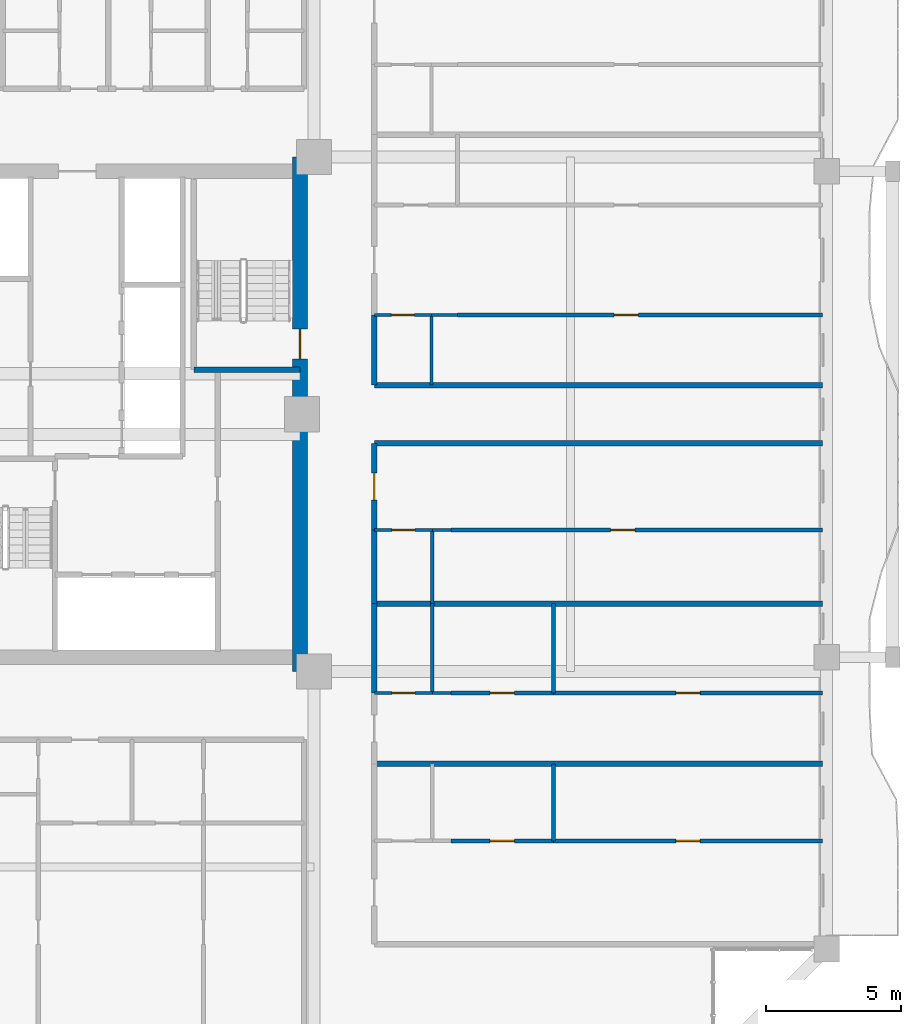
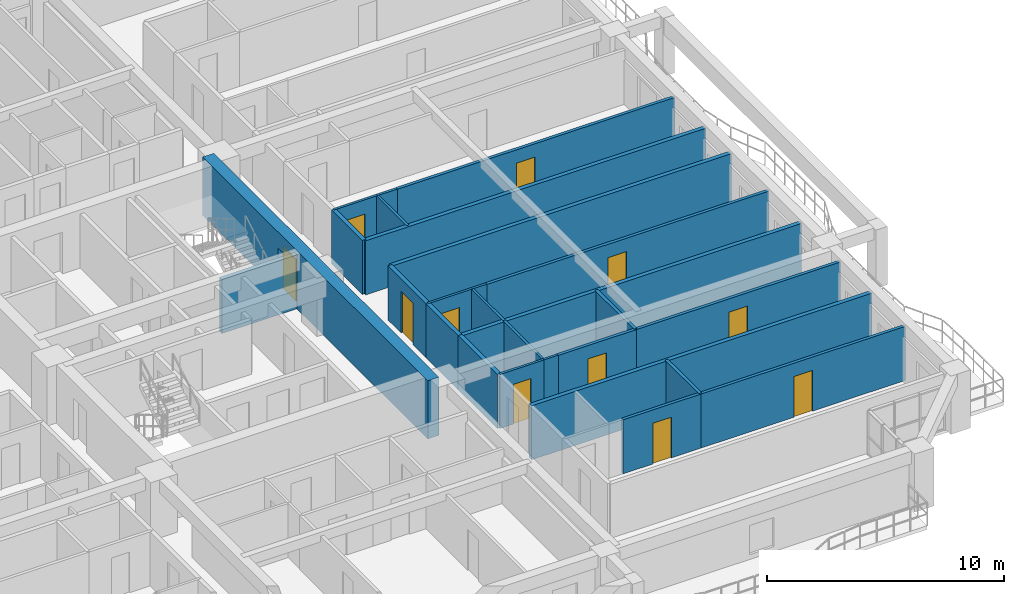
# One storey, part 17 of 26: 27 walls, 11 doors, 11 openings.
"""IFC4 building model written with IfcOpenShell, lengths in metres."""

from ifc_helpers import new_model, si_unit, direction, frame, frame_2d, origin, place, context, subcontext, project, spatial, rectangle, extrude, source, transform, mapped, material, layer, layer_set, type_object, element, fill, save


model = new_model("IFC4")

# Units and contexts
model_context = context("Model", 3, precision=1e-05, world=origin(), true_north=direction((0.0, 1.0)))
body_context = subcontext(model_context, "Body", "Model", "MODEL_VIEW")
ifc_project = project(units=[si_unit("LENGTHUNIT", "METRE"), si_unit("AREAUNIT", "SQUARE_METRE"), si_unit("VOLUMEUNIT", "CUBIC_METRE"), si_unit("PLANEANGLEUNIT", "RADIAN"), si_unit("MASSUNIT", "GRAM", prefix="KILO")], contexts=[model_context])

# Site, building, storey
site_placement = place(None, origin())
site = spatial("IfcSite", under=ifc_project, at=site_placement, CompositionType="ELEMENT")
building_placement = place(site_placement, origin())
building = spatial("IfcBuilding", under=site, at=building_placement, Name="Saelheon Loggia Tower", CompositionType="ELEMENT")
storey_placement = place(building_placement, frame((0.0, 0.0, 116.85009765625)))
storey = spatial("IfcBuildingStorey", under=building, at=storey_placement, Name="L37", CompositionType="ELEMENT", Elevation=116.85009765625)

# Wall, opening, door
ifc_material_1 = material(Name="Concrete C50/60", Category="concrete")
ifc_layer_1 = layer(ifc_material_1, 0.550048828125)
ifc_layer_set_1 = layer_set([ifc_layer_1], Name="Concrete C50/60")
wall_type_1 = type_object("IfcWallType", Name="Wall_CoreShear_550", PredefinedType="SHEAR", material=ifc_layer_set_1)
wall_1_placement = place(storey_placement, frame((44.5, 17.47998046875, 0.0), z_axis=(0.0, 0.0, 1.0), x_axis=(0.0, 1.0, 0.0)))
wall_1 = element("IfcWall", 1, at=wall_1_placement, inside=storey, type_object=wall_type_1, Name="L37 Core Shear Wall East", PredefinedType="SHEAR", context=body_context, shape_type="SweptSolid", body=[
    extrude(rectangle(XDim=19.0400390625, YDim=0.550048828125, at=frame_2d((9.52001953125, 0.0))), origin(), (0.0, 0.0, 1.0), 3.0),
])
opening_1_placement = place(wall_1_placement, frame((12.670166015625, 0.0, 0.0), z_axis=(0.0, 0.0, 1.0), x_axis=(-1.0, 0.0, 0.0)))
opening_1 = element("IfcOpeningElement", 2, at=opening_1_placement, cuts=wall_1, Name="Opening D-FD2", PredefinedType="OPENING", context=body_context, shape_type="SweptSolid", body=[
    extrude(rectangle(XDim=1.10009765625, YDim=2.14990234375, at=frame_2d((0.550048828125, 1.074951171875))), frame((0.0, 0.287109375, 0.0), z_axis=(0.0, -1.0, 0.0), x_axis=(1.0, 0.0, 0.0)), (0.0, 0.0, 1.0), 0.573974609375),
])
ifc_material_2 = material(Name="Galvanised Steel Fire Door", Category="steel")
door_type_1 = type_object("IfcDoorType", Name="Door_Fire_FD60_1100", OperationType="NOTDEFINED", PredefinedType="DOOR", material=ifc_material_2)
shared_shape_1 = source(origin(), body_context, "Body", "SweptSolid", [
    extrude(rectangle(XDim=1.10009765625, YDim=2.14990234375, at=frame_2d((0.550048828125, 1.074951171875))), frame((0.0, 0.02490234375, 0.0), z_axis=(0.0, -1.0, 0.0), x_axis=(1.0, 0.0, 0.0)), (0.0, 0.0, 1.0), 0.050048828125),
])
door_1_placement = place(opening_1_placement, origin())
door_1 = element("IfcDoor", 3, at=door_1_placement, inside=storey, type_object=door_type_1, Name="L37 Stair ST2 Corridor Door", OperationType="SINGLE_SWING_RIGHT", OverallHeight=2.14990234375, OverallWidth=1.10009765625, PredefinedType="DOOR", context=body_context, shape_type="MappedRepresentation", body=[
    mapped(shared_shape_1, transform((0.0, 0.0, 0.0), scale=1.0)),
])
fill(opening_1, door_1)

# Wall
ifc_material_3 = material(Name="Lightweight Autoclaved Aerated Concrete Block and Acoustic Gypsum", Category="concrete")
ifc_layer_2 = layer(ifc_material_3, 0.14990234375)
ifc_layer_set_2 = layer_set([ifc_layer_2], Name="Lightweight Autoclaved Aerated Concrete Block and Acoustic Gypsum")
wall_type_2 = type_object("IfcWallType", Name="Wall_Part_150", PredefinedType="PARTITIONING", material=ifc_layer_set_2)
wall_2_placement = place(storey_placement, frame((53.889892578125, 11.204345703125, 0.0), z_axis=(0.0, 0.0, 1.0), x_axis=(0.0, 1.0, 0.0)))
element("IfcWall", 4, at=wall_2_placement, inside=storey, type_object=wall_type_2, Name="L37 ES Partition V08", PredefinedType="PARTITIONING", context=body_context, shape_type="SweptSolid", body=[
    extrude(rectangle(XDim=2.85009765625, YDim=0.14990234375, at=frame_2d((1.425048828125, 0.0))), origin(), (0.0, 0.0, 1.0), 2.789794921875),
])

# Wall, opening, door
wall_3_placement = place(storey_placement, frame((50.090087890625, 11.204345703125, 0.0), z_axis=(0.0, 0.0, 1.0), x_axis=(1.0, 0.0, 0.0)))
wall_3 = element("IfcWall", 5, at=wall_3_placement, inside=storey, type_object=wall_type_2, Name="L37 ES Partition U09", PredefinedType="PARTITIONING", context=body_context, shape_type="SweptSolid", body=[
    extrude(rectangle(XDim=3.7998046875, YDim=0.14990234375, at=frame_2d((1.89990234375, 0.0))), origin(), (0.0, 0.0, 1.0), 2.789794921875),
])
opening_2_placement = place(wall_3_placement, frame((1.449951171875, 0.0, 0.0)))
opening_2 = element("IfcOpeningElement", 6, at=opening_2_placement, cuts=wall_3, Name="Opening D-IN2", PredefinedType="OPENING", context=body_context, shape_type="SweptSolid", body=[
    extrude(rectangle(XDim=0.89990234375, YDim=2.10009765625, at=frame_2d((0.449951171875, 1.050048828125))), frame((0.0, 0.0869140625, 0.0), z_axis=(0.0, -1.0, 0.0), x_axis=(1.0, 0.0, 0.0)), (0.0, 0.0, 1.0), 0.173828125),
])
ifc_material_4 = material(Name="Engineered Oak Flush Door", Category="timber")
door_type_2 = type_object("IfcDoorType", Name="Door_Int_900", OperationType="NOTDEFINED", PredefinedType="DOOR", material=ifc_material_4)
shared_shape_2 = source(origin(), body_context, "Body", "SweptSolid", [
    extrude(rectangle(XDim=0.89990234375, YDim=2.10009765625, at=frame_2d((0.449951171875, 1.050048828125))), frame((0.0, 0.02490234375, 0.0), z_axis=(0.0, -1.0, 0.0), x_axis=(1.0, 0.0, 0.0)), (0.0, 0.0, 1.0), 0.050048828125),
])
door_2_placement = place(opening_2_placement, origin())
door_2 = element("IfcDoor", 7, at=door_2_placement, inside=storey, type_object=door_type_2, Name="Unit U10 Kitchen Door", OperationType="SINGLE_SWING_LEFT", OverallHeight=2.10009765625, OverallWidth=0.89990234375, PredefinedType="DOOR", context=body_context, shape_type="MappedRepresentation", body=[
    mapped(shared_shape_2, transform((0.0, 0.0, 0.0), scale=1.0)),
])
fill(opening_2, door_2)

wall_4_placement = place(storey_placement, frame((53.889892578125, 11.204345703125, 0.0), z_axis=(0.0, 0.0, 1.0), x_axis=(1.0, 0.0, 0.0)))
wall_4 = element("IfcWall", 8, at=wall_4_placement, inside=storey, type_object=wall_type_2, Name="L37 ES Partition U10", PredefinedType="PARTITIONING", context=body_context, shape_type="SweptSolid", body=[
    extrude(rectangle(XDim=9.960205078125, YDim=0.14990234375, at=frame_2d((4.97998046875, 0.0))), origin(), (0.0, 0.0, 1.0), 2.789794921875),
])
opening_3_placement = place(wall_4_placement, frame((4.530029296875, 0.0, 0.0)))
opening_3 = element("IfcOpeningElement", 9, at=opening_3_placement, cuts=wall_4, Name="Opening D-IN2", PredefinedType="OPENING", context=body_context, shape_type="SweptSolid", body=[
    extrude(rectangle(XDim=0.89990234375, YDim=2.10009765625, at=frame_2d((0.449951171875, 1.050048828125))), frame((0.0, 0.0869140625, 0.0), z_axis=(0.0, -1.0, 0.0), x_axis=(1.0, 0.0, 0.0)), (0.0, 0.0, 1.0), 0.173828125),
])
door_3_placement = place(opening_3_placement, origin())
door_3 = element("IfcDoor", 10, at=door_3_placement, inside=storey, type_object=door_type_2, Name="Unit U10 Bedroom 1 Door", OperationType="SINGLE_SWING_RIGHT", OverallHeight=2.10009765625, OverallWidth=0.89990234375, PredefinedType="DOOR", context=body_context, shape_type="MappedRepresentation", body=[
    mapped(shared_shape_2, transform((0.0, 0.0, 0.0), scale=1.0)),
])
fill(opening_3, door_3)

# Wall
wall_5_placement = place(storey_placement, frame((53.889892578125, 16.679931640625, 0.0), z_axis=(0.0, 0.0, 1.0), x_axis=(0.0, 1.0, 0.0)))
element("IfcWall", 11, at=wall_5_placement, inside=storey, type_object=wall_type_2, Name="L37 ES Partition V17", PredefinedType="PARTITIONING", context=body_context, shape_type="SweptSolid", body=[
    extrude(rectangle(XDim=3.307373046875, YDim=0.14990234375, at=frame_2d((1.65380859375, 0.0))), origin(), (0.0, 0.0, 1.0), 2.789794921875),
])

# Wall, opening, door
wall_6_placement = place(storey_placement, frame((50.090087890625, 16.679931640625, 0.0), z_axis=(0.0, 0.0, 1.0), x_axis=(1.0, 0.0, 0.0)))
wall_6 = element("IfcWall", 12, at=wall_6_placement, inside=storey, type_object=wall_type_2, Name="L37 ES Partition U18", PredefinedType="PARTITIONING", context=body_context, shape_type="SweptSolid", body=[
    extrude(rectangle(XDim=3.7998046875, YDim=0.14990234375, at=frame_2d((1.89990234375, 0.0))), origin(), (0.0, 0.0, 1.0), 2.789794921875),
])
opening_4_placement = place(wall_6_placement, frame((1.449951171875, 0.0, 0.0)))
opening_4 = element("IfcOpeningElement", 13, at=opening_4_placement, cuts=wall_6, Name="Opening D-IN2", PredefinedType="OPENING", context=body_context, shape_type="SweptSolid", body=[
    extrude(rectangle(XDim=0.89990234375, YDim=2.10009765625, at=frame_2d((0.449951171875, 1.050048828125))), frame((0.0, 0.0869140625, 0.0), z_axis=(0.0, -1.0, 0.0), x_axis=(1.0, 0.0, 0.0)), (0.0, 0.0, 1.0), 0.173828125),
])
door_4_placement = place(opening_4_placement, origin())
door_4 = element("IfcDoor", 14, at=door_4_placement, inside=storey, type_object=door_type_2, Name="Unit U11 Kitchen Door", OperationType="SINGLE_SWING_LEFT", OverallHeight=2.10009765625, OverallWidth=0.89990234375, PredefinedType="DOOR", context=body_context, shape_type="MappedRepresentation", body=[
    mapped(shared_shape_2, transform((0.0, 0.0, 0.0), scale=1.0)),
])
fill(opening_4, door_4)

wall_7_placement = place(storey_placement, frame((53.889892578125, 16.679931640625, 0.0), z_axis=(0.0, 0.0, 1.0), x_axis=(1.0, 0.0, 0.0)))
wall_7 = element("IfcWall", 15, at=wall_7_placement, inside=storey, type_object=wall_type_2, Name="L37 ES Partition U19", PredefinedType="PARTITIONING", context=body_context, shape_type="SweptSolid", body=[
    extrude(rectangle(XDim=9.960205078125, YDim=0.14990234375, at=frame_2d((4.97998046875, 0.0))), origin(), (0.0, 0.0, 1.0), 2.789794921875),
])
opening_5_placement = place(wall_7_placement, frame((4.530029296875, 0.0, 0.0)))
opening_5 = element("IfcOpeningElement", 16, at=opening_5_placement, cuts=wall_7, Name="Opening D-IN2", PredefinedType="OPENING", context=body_context, shape_type="SweptSolid", body=[
    extrude(rectangle(XDim=0.89990234375, YDim=2.10009765625, at=frame_2d((0.449951171875, 1.050048828125))), frame((0.0, 0.0869140625, 0.0), z_axis=(0.0, -1.0, 0.0), x_axis=(1.0, 0.0, 0.0)), (0.0, 0.0, 1.0), 0.173828125),
])
door_5_placement = place(opening_5_placement, origin())
door_5 = element("IfcDoor", 17, at=door_5_placement, inside=storey, type_object=door_type_2, Name="Unit U11 Bedroom 1 Door", OperationType="SINGLE_SWING_RIGHT", OverallHeight=2.10009765625, OverallWidth=0.89990234375, PredefinedType="DOOR", context=body_context, shape_type="MappedRepresentation", body=[
    mapped(shared_shape_2, transform((0.0, 0.0, 0.0), scale=1.0)),
])
fill(opening_5, door_5)

wall_8_placement = place(storey_placement, frame((50.090087890625, 22.71630859375, 0.0), z_axis=(0.0, 0.0, 1.0), x_axis=(1.0, 0.0, 0.0)))
wall_8 = element("IfcWall", 18, at=wall_8_placement, inside=storey, type_object=wall_type_2, Name="L37 ES Partition U26", PredefinedType="PARTITIONING", context=body_context, shape_type="SweptSolid", body=[
    extrude(rectangle(XDim=13.760009765625, YDim=0.14990234375, at=frame_2d((6.8798828125, 0.0))), origin(), (0.0, 0.0, 1.0), 2.789794921875),
])
opening_6_placement = place(wall_8_placement, frame((5.914306640625, 0.0, 0.0)))
opening_6 = element("IfcOpeningElement", 19, at=opening_6_placement, cuts=wall_8, Name="Opening D-IN2", PredefinedType="OPENING", context=body_context, shape_type="SweptSolid", body=[
    extrude(rectangle(XDim=0.89990234375, YDim=2.10009765625, at=frame_2d((0.449951171875, 1.050048828125))), frame((0.0, 0.0869140625, 0.0), z_axis=(0.0, -1.0, 0.0), x_axis=(1.0, 0.0, 0.0)), (0.0, 0.0, 1.0), 0.173828125),
])
door_6_placement = place(opening_6_placement, origin())
door_6 = element("IfcDoor", 20, at=door_6_placement, inside=storey, type_object=door_type_2, Name="Unit U12 Kitchen Door", OperationType="SINGLE_SWING_LEFT", OverallHeight=2.10009765625, OverallWidth=0.89990234375, PredefinedType="DOOR", context=body_context, shape_type="MappedRepresentation", body=[
    mapped(shared_shape_2, transform((0.0, 0.0, 0.0), scale=1.0)),
])
fill(opening_6, door_6)

wall_9_placement = place(storey_placement, frame((50.330078125, 30.675537109375, 0.0), z_axis=(0.0, 0.0, 1.0), x_axis=(1.0, 0.0, 0.0)))
wall_9 = element("IfcWall", 21, at=wall_9_placement, inside=storey, type_object=wall_type_2, Name="L37 EN Partition U10", PredefinedType="PARTITIONING", context=body_context, shape_type="SweptSolid", body=[
    extrude(rectangle(XDim=13.52001953125, YDim=0.14990234375, at=frame_2d((6.760009765625, 0.0))), origin(), (0.0, 0.0, 1.0), 2.789794921875),
])
opening_7_placement = place(wall_9_placement, frame((5.80419921875, 0.0, 0.0)))
opening_7 = element("IfcOpeningElement", 22, at=opening_7_placement, cuts=wall_9, Name="Opening D-IN2", PredefinedType="OPENING", context=body_context, shape_type="SweptSolid", body=[
    extrude(rectangle(XDim=0.89990234375, YDim=2.10009765625, at=frame_2d((0.449951171875, 1.050048828125))), frame((0.0, 0.0869140625, 0.0), z_axis=(0.0, -1.0, 0.0), x_axis=(1.0, 0.0, 0.0)), (0.0, 0.0, 1.0), 0.173828125),
])
door_7_placement = place(opening_7_placement, origin())
door_7 = element("IfcDoor", 23, at=door_7_placement, inside=storey, type_object=door_type_2, Name="Unit U13 Kitchen Door", OperationType="SINGLE_SWING_RIGHT", OverallHeight=2.10009765625, OverallWidth=0.89990234375, PredefinedType="DOOR", context=body_context, shape_type="MappedRepresentation", body=[
    mapped(shared_shape_2, transform((0.0, 0.0, 0.0), scale=1.0)),
])
fill(opening_7, door_7)

# Walls
ifc_material_5 = material(Name="Double Acoustic Stud and Fireboard Partition", Category="gypsum")
ifc_layer_3 = layer(ifc_material_5, 0.199951171875)
ifc_layer_set_3 = layer_set([ifc_layer_3], Name="Double Acoustic Stud and Fireboard Partition")
wall_type_3 = type_object("IfcWallType", Name="Wall_Party_200", PredefinedType="PARTITIONING", material=ifc_layer_set_3)
for number, where, z_axis, x_axis, name in (
    (24, (47.25, 25.919921875, 0.0), (0.0, 0.0, 1.0), (1.0, 0.0, 0.0), "L37 ES Partition U02"),
    (25, (47.25, 14.054443359375, 0.0), (0.0, 0.0, 1.0), (1.0, 0.0, 0.0), "L37 ES Partition U11"),
):
    element("IfcWall", number, at=place(storey_placement, frame(where, z_axis=z_axis, x_axis=x_axis)), inside=storey, type_object=wall_type_3, Name=name, PredefinedType="PARTITIONING", context=body_context, shape_type="SweptSolid", body=[
        extrude(rectangle(XDim=16.60009765625, YDim=0.199951171875, at=frame_2d((8.300048828125, 0.0))), origin(), (0.0, 0.0, 1.0), 2.789794921875),
    ])
wall_10_placement = place(storey_placement, frame((47.25, 16.679931640625, 0.0), z_axis=(0.0, 0.0, 1.0), x_axis=(0.0, 1.0, 0.0)))
element("IfcWall", 26, at=wall_10_placement, inside=storey, type_object=wall_type_3, Name="L37 ES Partition V13", PredefinedType="PARTITIONING", context=body_context, shape_type="SweptSolid", body=[
    extrude(rectangle(XDim=3.307373046875, YDim=0.199951171875, at=frame_2d((1.65380859375, 0.0))), origin(), (0.0, 0.0, 1.0), 2.789794921875),
])
wall_11_placement = place(storey_placement, frame((47.25, 19.9873046875, 0.0), z_axis=(0.0, 0.0, 1.0), x_axis=(1.0, 0.0, 0.0)))
element("IfcWall", 27, at=wall_11_placement, inside=storey, type_object=wall_type_3, Name="L37 ES Partition U20", PredefinedType="PARTITIONING", context=body_context, shape_type="SweptSolid", body=[
    extrude(rectangle(XDim=16.60009765625, YDim=0.199951171875, at=frame_2d((8.300048828125, 0.0))), origin(), (0.0, 0.0, 1.0), 2.789794921875),
])
wall_12_placement = place(storey_placement, frame((47.25, 19.9873046875, 0.0), z_axis=(0.0, 0.0, 1.0), x_axis=(0.0, 1.0, 0.0)))
element("IfcWall", 28, at=wall_12_placement, inside=storey, type_object=wall_type_3, Name="L37 ES Partition V21", PredefinedType="PARTITIONING", context=body_context, shape_type="SweptSolid", body=[
    extrude(rectangle(XDim=2.72900390625, YDim=0.199951171875, at=frame_2d((1.364501953125, 0.0))), origin(), (0.0, 0.0, 1.0), 2.789794921875),
])

# Wall, opening, door
wall_13_placement = place(storey_placement, frame((47.25, 22.71630859375, 0.0), z_axis=(0.0, 0.0, 1.0), x_axis=(0.0, 1.0, 0.0)))
wall_13 = element("IfcWall", 29, at=wall_13_placement, inside=storey, type_object=wall_type_3, Name="L37 ES Partition V22", PredefinedType="PARTITIONING", context=body_context, shape_type="SweptSolid", body=[
    extrude(rectangle(XDim=3.20361328125, YDim=0.199951171875, at=frame_2d((1.601806640625, 0.0))), origin(), (0.0, 0.0, 1.0), 2.789794921875),
])
opening_8_placement = place(wall_13_placement, frame((1.101806640625, 0.0, 0.0)))
opening_8 = element("IfcOpeningElement", 30, at=opening_8_placement, cuts=wall_13, Name="Opening D-FD1", PredefinedType="OPENING", context=body_context, shape_type="SweptSolid", body=[
    extrude(rectangle(XDim=1.0, YDim=2.14990234375, at=frame_2d((0.5, 1.074951171875))), frame((0.0, 0.112060546875, 0.0), z_axis=(0.0, -1.0, 0.0), x_axis=(1.0, 0.0, 0.0)), (0.0, 0.0, 1.0), 0.223876953125),
])
ifc_material_6 = material(Name="Fire-Rated Engineered Timber Entrance Door", Category="wood")
door_type_3 = type_object("IfcDoorType", Name="Door_Flat_FD30S", OperationType="NOTDEFINED", PredefinedType="DOOR", material=ifc_material_6)
shared_shape_3 = source(origin(), body_context, "Body", "SweptSolid", [
    extrude(rectangle(XDim=1.0, YDim=2.14990234375, at=frame_2d((0.5, 1.074951171875))), frame((0.0, 0.02490234375, 0.0), z_axis=(0.0, -1.0, 0.0), x_axis=(1.0, 0.0, 0.0)), (0.0, 0.0, 1.0), 0.050048828125),
])
door_8_placement = place(opening_8_placement, origin())
door_8 = element("IfcDoor", 31, at=door_8_placement, inside=storey, type_object=door_type_3, Name="Unit U12 Entrance Door", OperationType="SINGLE_SWING_LEFT", OverallHeight=2.14990234375, OverallWidth=1.0, PredefinedType="DOOR", context=body_context, shape_type="MappedRepresentation", body=[
    mapped(shared_shape_3, transform((0.0, 0.0, 0.0), scale=1.0)),
])
fill(opening_8, door_8)

# Walls
wall_14_placement = place(storey_placement, frame((47.25, 28.080078125, 0.0), z_axis=(0.0, 0.0, 1.0), x_axis=(1.0, 0.0, 0.0)))
element("IfcWall", 32, at=wall_14_placement, inside=storey, type_object=wall_type_3, Name="L37 EN Partition U01", PredefinedType="PARTITIONING", context=body_context, shape_type="SweptSolid", body=[
    extrude(rectangle(XDim=16.60009765625, YDim=0.199951171875, at=frame_2d((8.300048828125, 0.0))), origin(), (0.0, 0.0, 1.0), 2.789794921875),
])
wall_15_placement = place(storey_placement, frame((47.25, 28.080078125, 0.0), z_axis=(0.0, 0.0, 1.0), x_axis=(0.0, 1.0, 0.0)))
element("IfcWall", 33, at=wall_15_placement, inside=storey, type_object=wall_type_3, Name="L37 EN Partition V03", PredefinedType="PARTITIONING", context=body_context, shape_type="SweptSolid", body=[
    extrude(rectangle(XDim=2.595458984375, YDim=0.199951171875, at=frame_2d((1.2978515625, 0.0))), origin(), (0.0, 0.0, 1.0), 2.789794921875),
])
ifc_material_7 = material(Name="Concrete C45/55", Category="concrete")
ifc_layer_4 = layer(ifc_material_7, 0.199951171875)
ifc_layer_set_4 = layer_set([ifc_layer_4], Name="Concrete C45/55")
wall_type_4 = type_object("IfcWallType", Name="Wall_StairShaft_RC200", PredefinedType="SOLIDWALL", material=ifc_layer_set_4)
wall_16_placement = place(storey_placement, frame((40.570068359375, 28.64990234375, 0.0), z_axis=(0.0, 0.0, 1.0), x_axis=(1.0, 0.0, 0.0)))
element("IfcWall", 34, at=wall_16_placement, inside=storey, type_object=wall_type_4, Name="L37 Stair ST2 South Wall", PredefinedType="SOLIDWALL", context=body_context, shape_type="SweptSolid", body=[
    extrude(rectangle(XDim=3.929931640625, YDim=0.199951171875, at=frame_2d((1.96484375, 0.0))), origin(), (0.0, 0.0, 1.0), 2.789794921875),
])

# Wall, opening, door
ifc_material_8 = material(Name="Moisture-Resistant Cement Board Partition", Category="gypsum")
ifc_layer_5 = layer(ifc_material_8, 0.1201171875)
ifc_layer_set_5 = layer_set([ifc_layer_5], Name="Moisture-Resistant Cement Board Partition")
wall_type_5 = type_object("IfcWallType", Name="Wall_WetPart_120", PredefinedType="PARTITIONING", material=ifc_layer_set_5)
wall_17_placement = place(storey_placement, frame((47.25, 16.679931640625, 0.0), z_axis=(0.0, 0.0, 1.0), x_axis=(1.0, 0.0, 0.0)))
wall_17 = element("IfcWall", 35, at=wall_17_placement, inside=storey, type_object=wall_type_5, Name="L37 ES Partition U14", PredefinedType="PARTITIONING", context=body_context, shape_type="SweptSolid", body=[
    extrude(rectangle(XDim=2.14990234375, YDim=0.1201171875, at=frame_2d((1.074951171875, 0.0))), origin(), (0.0, 0.0, 1.0), 2.789794921875),
])
opening_9_placement = place(wall_17_placement, frame((0.64990234375, 0.0, 0.0)))
opening_9 = element("IfcOpeningElement", 36, at=opening_9_placement, cuts=wall_17, Name="Opening D-BT1", PredefinedType="OPENING", context=body_context, shape_type="SweptSolid", body=[
    extrude(rectangle(XDim=0.85009765625, YDim=2.050048828125, at=frame_2d((0.425048828125, 1.02490234375))), frame((0.0, 0.072021484375, 0.0), z_axis=(0.0, -1.0, 0.0), x_axis=(1.0, 0.0, 0.0)), (0.0, 0.0, 1.0), 0.14404296875),
])
ifc_material_9 = material(Name="Moisture-Resistant Laminate Timber Door", Category="wood")
door_type_4 = type_object("IfcDoorType", Name="Door_Bath_850", OperationType="NOTDEFINED", PredefinedType="DOOR", material=ifc_material_9)
shared_shape_4 = source(origin(), body_context, "Body", "SweptSolid", [
    extrude(rectangle(XDim=0.85009765625, YDim=2.050048828125, at=frame_2d((0.425048828125, 1.02490234375))), frame((0.0, 0.02490234375, 0.0), z_axis=(0.0, -1.0, 0.0), x_axis=(1.0, 0.0, 0.0)), (0.0, 0.0, 1.0), 0.050048828125),
])
door_9_placement = place(opening_9_placement, origin())
door_9 = element("IfcDoor", 37, at=door_9_placement, inside=storey, type_object=door_type_4, Name="Unit U11 Bathroom Door", OperationType="SINGLE_SWING_RIGHT", OverallHeight=2.050048828125, OverallWidth=0.85009765625, PredefinedType="DOOR", context=body_context, shape_type="MappedRepresentation", body=[
    mapped(shared_shape_4, transform((0.0, 0.0, 0.0), scale=1.0)),
])
fill(opening_9, door_9)

# Walls
wall_18_placement = place(storey_placement, frame((49.39990234375, 16.679931640625, 0.0), z_axis=(0.0, 0.0, 1.0), x_axis=(1.0, 0.0, 0.0)))
element("IfcWall", 38, at=wall_18_placement, inside=storey, type_object=wall_type_5, Name="L37 ES Partition U15", PredefinedType="PARTITIONING", context=body_context, shape_type="SweptSolid", body=[
    extrude(rectangle(XDim=0.690185546875, YDim=0.1201171875, at=frame_2d((0.34521484375, 0.0))), origin(), (0.0, 0.0, 1.0), 2.789794921875),
])
wall_19_placement = place(storey_placement, frame((49.39990234375, 16.679931640625, 0.0), z_axis=(0.0, 0.0, 1.0), x_axis=(0.0, 1.0, 0.0)))
element("IfcWall", 39, at=wall_19_placement, inside=storey, type_object=wall_type_5, Name="L37 ES Partition V16", PredefinedType="PARTITIONING", context=body_context, shape_type="SweptSolid", body=[
    extrude(rectangle(XDim=3.307373046875, YDim=0.1201171875, at=frame_2d((1.65380859375, 0.0))), origin(), (0.0, 0.0, 1.0), 2.789794921875),
])

# Wall, opening, door
wall_20_placement = place(storey_placement, frame((47.25, 22.71630859375, 0.0), z_axis=(0.0, 0.0, 1.0), x_axis=(1.0, 0.0, 0.0)))
wall_20 = element("IfcWall", 40, at=wall_20_placement, inside=storey, type_object=wall_type_5, Name="L37 ES Partition U23", PredefinedType="PARTITIONING", context=body_context, shape_type="SweptSolid", body=[
    extrude(rectangle(XDim=2.14990234375, YDim=0.1201171875, at=frame_2d((1.074951171875, 0.0))), origin(), (0.0, 0.0, 1.0), 2.789794921875),
])
opening_10_placement = place(wall_20_placement, frame((0.64990234375, 0.0, 0.0)))
opening_10 = element("IfcOpeningElement", 41, at=opening_10_placement, cuts=wall_20, Name="Opening D-BT1", PredefinedType="OPENING", context=body_context, shape_type="SweptSolid", body=[
    extrude(rectangle(XDim=0.85009765625, YDim=2.050048828125, at=frame_2d((0.425048828125, 1.02490234375))), frame((0.0, 0.072021484375, 0.0), z_axis=(0.0, -1.0, 0.0), x_axis=(1.0, 0.0, 0.0)), (0.0, 0.0, 1.0), 0.14404296875),
])
door_10_placement = place(opening_10_placement, origin())
door_10 = element("IfcDoor", 42, at=door_10_placement, inside=storey, type_object=door_type_4, Name="Unit U12 Bathroom Door", OperationType="SINGLE_SWING_RIGHT", OverallHeight=2.050048828125, OverallWidth=0.85009765625, PredefinedType="DOOR", context=body_context, shape_type="MappedRepresentation", body=[
    mapped(shared_shape_4, transform((0.0, 0.0, 0.0), scale=1.0)),
])
fill(opening_10, door_10)

# Walls
wall_21_placement = place(storey_placement, frame((49.39990234375, 22.71630859375, 0.0), z_axis=(0.0, 0.0, 1.0), x_axis=(1.0, 0.0, 0.0)))
element("IfcWall", 43, at=wall_21_placement, inside=storey, type_object=wall_type_5, Name="L37 ES Partition U24", PredefinedType="PARTITIONING", context=body_context, shape_type="SweptSolid", body=[
    extrude(rectangle(XDim=0.690185546875, YDim=0.1201171875, at=frame_2d((0.34521484375, 0.0))), origin(), (0.0, 0.0, 1.0), 2.789794921875),
])
wall_22_placement = place(storey_placement, frame((49.39990234375, 19.9873046875, 0.0), z_axis=(0.0, 0.0, 1.0), x_axis=(0.0, 1.0, 0.0)))
element("IfcWall", 44, at=wall_22_placement, inside=storey, type_object=wall_type_5, Name="L37 ES Partition V25", PredefinedType="PARTITIONING", context=body_context, shape_type="SweptSolid", body=[
    extrude(rectangle(XDim=2.72900390625, YDim=0.1201171875, at=frame_2d((1.364501953125, 0.0))), origin(), (0.0, 0.0, 1.0), 2.789794921875),
])
wall_23_placement = place(storey_placement, frame((49.3701171875, 28.080078125, 0.0), z_axis=(0.0, 0.0, 1.0), x_axis=(0.0, 1.0, 0.0)))
element("IfcWall", 45, at=wall_23_placement, inside=storey, type_object=wall_type_5, Name="L37 EN Partition V06", PredefinedType="PARTITIONING", context=body_context, shape_type="SweptSolid", body=[
    extrude(rectangle(XDim=2.595458984375, YDim=0.1201171875, at=frame_2d((1.2978515625, 0.0))), origin(), (0.0, 0.0, 1.0), 2.789794921875),
])

# Wall, opening, door
wall_24_placement = place(storey_placement, frame((47.25, 30.675537109375, 0.0), z_axis=(0.0, 0.0, 1.0), x_axis=(1.0, 0.0, 0.0)))
wall_24 = element("IfcWall", 46, at=wall_24_placement, inside=storey, type_object=wall_type_5, Name="L37 EN Partition U08", PredefinedType="PARTITIONING", context=body_context, shape_type="SweptSolid", body=[
    extrude(rectangle(XDim=2.1201171875, YDim=0.1201171875, at=frame_2d((1.06005859375, 0.0))), origin(), (0.0, 0.0, 1.0), 2.789794921875),
])
opening_11_placement = place(wall_24_placement, frame((0.635009765625, 0.0, 0.0)))
opening_11 = element("IfcOpeningElement", 47, at=opening_11_placement, cuts=wall_24, Name="Opening D-BT1", PredefinedType="OPENING", context=body_context, shape_type="SweptSolid", body=[
    extrude(rectangle(XDim=0.85009765625, YDim=2.050048828125, at=frame_2d((0.425048828125, 1.02490234375))), frame((0.0, 0.072021484375, 0.0), z_axis=(0.0, -1.0, 0.0), x_axis=(1.0, 0.0, 0.0)), (0.0, 0.0, 1.0), 0.14404296875),
])
door_11_placement = place(opening_11_placement, origin())
door_11 = element("IfcDoor", 48, at=door_11_placement, inside=storey, type_object=door_type_4, Name="Unit U13 Bathroom Door", OperationType="SINGLE_SWING_LEFT", OverallHeight=2.050048828125, OverallWidth=0.85009765625, PredefinedType="DOOR", context=body_context, shape_type="MappedRepresentation", body=[
    mapped(shared_shape_4, transform((0.0, 0.0, 0.0), scale=1.0)),
])
fill(opening_11, door_11)

# Wall
wall_25_placement = place(storey_placement, frame((49.3701171875, 30.675537109375, 0.0), z_axis=(0.0, 0.0, 1.0), x_axis=(1.0, 0.0, 0.0)))
element("IfcWall", 49, at=wall_25_placement, inside=storey, type_object=wall_type_5, Name="L37 EN Partition U09", PredefinedType="PARTITIONING", context=body_context, shape_type="SweptSolid", body=[
    extrude(rectangle(XDim=0.9599609375, YDim=0.1201171875, at=frame_2d((0.47998046875, 0.0))), origin(), (0.0, 0.0, 1.0), 2.789794921875),
])

save(model, "model.ifc")
